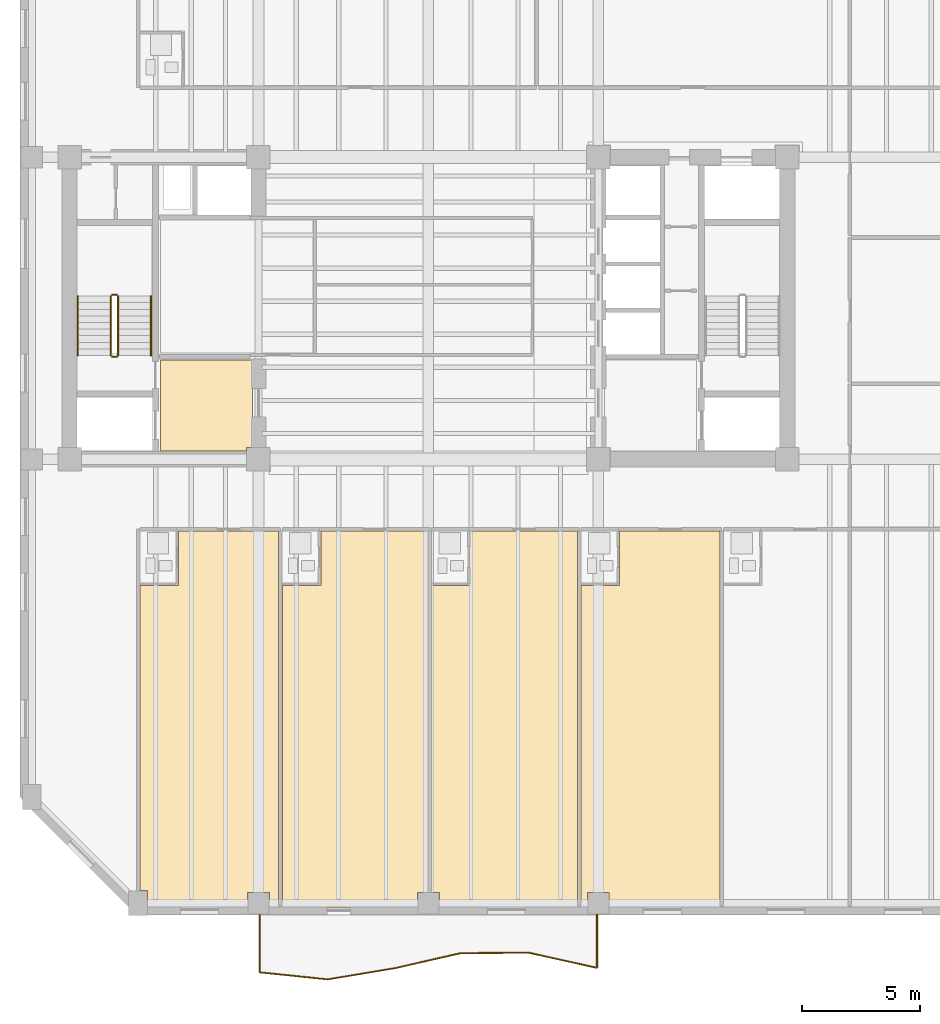
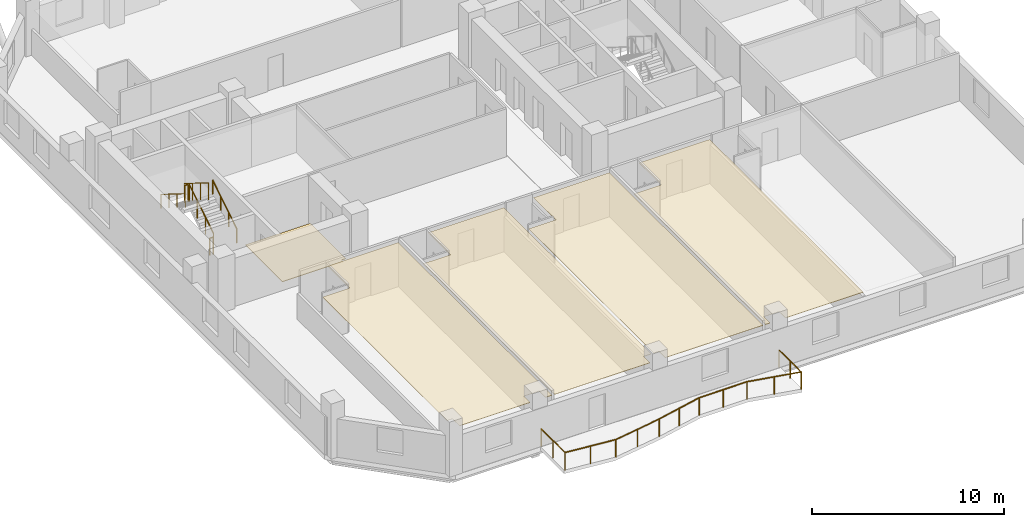
# One storey, part 9 of 12: 7 railings, 5 coverings.
"""IFC4 building model written with IfcOpenShell, lengths in metres."""

from ifc_helpers import new_model, si_unit, direction, frame, origin, origin_2d, place, context, subcontext, project, spatial, polyline, circle, outline, extrude, material, layer, layer_set, type_object, element, save


model = new_model("IFC4")

# Units and contexts
model_context = context("Model", 3, precision=1e-05, world=origin(), true_north=direction((0.0, 1.0)))
body_context = subcontext(model_context, "Body", "Model", "MODEL_VIEW")
ifc_project = project(units=[si_unit("LENGTHUNIT", "METRE"), si_unit("AREAUNIT", "SQUARE_METRE"), si_unit("VOLUMEUNIT", "CUBIC_METRE"), si_unit("PLANEANGLEUNIT", "RADIAN"), si_unit("MASSUNIT", "GRAM", prefix="KILO")], contexts=[model_context])

# Site, building, storey
site_placement = place(None, origin())
site = spatial("IfcSite", under=ifc_project, at=site_placement, CompositionType="ELEMENT")
building_placement = place(site_placement, origin())
building = spatial("IfcBuilding", under=site, at=building_placement, Name="Kranthara Brick Stack", CompositionType="ELEMENT")
storey_placement = place(building_placement, frame((0.0, 0.0, 158.800048828125)))
storey = spatial("IfcBuildingStorey", under=building, at=storey_placement, Name="L40", CompositionType="ELEMENT", Elevation=158.800048828125)

# Coverings
ifc_material_1 = material(Name="Perforated mineral-fibre acoustic ceiling tile", Category="other")
ifc_layer_1 = layer(ifc_material_1, 0.02490234375)
ifc_layer_set_1 = layer_set([ifc_layer_1], Name="Perforated mineral-fibre acoustic ceiling tile")
covering_type_1 = type_object("IfcCoveringType", Name="COV-CEIL-ACOUSTIC", PredefinedType="CEILING", material=ifc_layer_set_1)
covering_1_placement = place(storey_placement, frame((0.0, 0.0, 2.780029296875)))
element("IfcCovering", 1, at=covering_1_placement, inside=storey, type_object=covering_type_1, Name="L40 Room L40-01 Corner Junior Suite Acoustic Ceiling", PredefinedType="CEILING", context=body_context, shape_type="SweptSolid", body=[
    extrude(outline(polyline([(17.409912109375, 15.4599609375), (17.409912109375, 17.77001953125), (21.64990234375, 17.77001953125), (21.64990234375, 1.800048828125), (21.260009765625, 1.800048828125), (21.260009765625, 2.4599609375), (20.340087890625, 2.4599609375), (20.340087890625, 1.800048828125), (16.110107421875, 1.800048828125), (16.110107421875, 2.534912109375), (15.780029296875, 2.534912109375), (15.780029296875, 15.4599609375), (17.409912109375, 15.4599609375)])), origin(), (0.0, 0.0, 1.0), 0.02490234375),
])
covering_2_placement = place(storey_placement, frame((0.0, 0.0, 2.780029296875)))
element("IfcCovering", 2, at=covering_2_placement, inside=storey, type_object=covering_type_1, Name="L40 Room L40-02 Corner Junior Suite Acoustic Ceiling", PredefinedType="CEILING", context=body_context, shape_type="SweptSolid", body=[
    extrude(outline(polyline([(21.81005859375, 1.800048828125), (21.81005859375, 15.4599609375), (23.43994140625, 15.4599609375), (23.43994140625, 17.77001953125), (27.98095703125, 17.77001953125), (27.98095703125, 2.4599609375), (27.5400390625, 2.4599609375), (27.5400390625, 1.800048828125), (21.81005859375, 1.800048828125)])), origin(), (0.0, 0.0, 1.0), 0.02490234375),
])
covering_3_placement = place(storey_placement, frame((0.0, 0.0, 2.780029296875)))
element("IfcCovering", 3, at=covering_3_placement, inside=storey, type_object=covering_type_1, Name="L40 Room L40-03 Corner Junior Suite Acoustic Ceiling", PredefinedType="CEILING", context=body_context, shape_type="SweptSolid", body=[
    extrude(outline(polyline([(28.14111328125, 15.4599609375), (29.77099609375, 15.4599609375), (29.77099609375, 17.77001953125), (34.31298828125, 17.77001953125), (34.31298828125, 1.800048828125), (28.4599609375, 1.800048828125), (28.4599609375, 2.4599609375), (28.14111328125, 2.4599609375), (28.14111328125, 15.4599609375)])), origin(), (0.0, 0.0, 1.0), 0.02490234375),
])
covering_4_placement = place(storey_placement, frame((0.0, 0.0, 2.780029296875)))
element("IfcCovering", 4, at=covering_4_placement, inside=storey, type_object=covering_type_1, Name="L40 Room L40-04 Corner Junior Suite Acoustic Ceiling", PredefinedType="CEILING", context=body_context, shape_type="SweptSolid", body=[
    extrude(outline(polyline([(34.472900390625, 1.800048828125), (34.472900390625, 15.4599609375), (36.10302734375, 15.4599609375), (36.10302734375, 17.77001953125), (40.343017578125, 17.77001953125), (40.343017578125, 1.800048828125), (35.659912109375, 1.800048828125), (35.659912109375, 2.4599609375), (34.739990234375, 2.4599609375), (34.739990234375, 1.800048828125), (34.472900390625, 1.800048828125)])), origin(), (0.0, 0.0, 1.0), 0.02490234375),
])
ifc_material_2 = material(Name="Honed terrazzo and porcelain floor finish", Category="stone")
ifc_layer_2 = layer(ifc_material_2, 0.030029296875)
ifc_layer_set_2 = layer_set([ifc_layer_2], Name="Honed terrazzo and porcelain floor finish")
covering_type_2 = type_object("IfcCoveringType", Name="COV-FLOR-STONE", PredefinedType="FLOORING", material=ifc_layer_set_2)
covering_5_placement = place(storey_placement, origin())
element("IfcCovering", 5, at=covering_5_placement, inside=storey, type_object=covering_type_2, Name="L40 Lift Lobby Stone Flooring", PredefinedType="FLOORING", context=body_context, shape_type="SweptSolid", body=[
    extrude(outline(polyline([(16.64990234375, 21.14990234375), (16.64990234375, 25.0), (20.550048828125, 25.0), (20.550048828125, 21.31005859375), (20.2900390625, 21.31005859375), (20.2900390625, 21.14990234375), (16.64990234375, 21.14990234375)])), origin(), (0.0, 0.0, 1.0), 0.030029296875),
])

# Railings
ifc_material_3 = material(Name="Bronze anodised aluminium and laminated glass balustrade", Category="aluminium")
railing_type_1 = type_object("IfcRailingType", Name="RL-BALC-1120", PredefinedType="BALUSTRADE", material=ifc_material_3)
railing_1_placement = place(storey_placement, frame((35.139892578125, 1.56005859375, 0.0)))
element("IfcRailing", 6, at=railing_1_placement, inside=storey, type_object=railing_type_1, Name="L40 South Rippling Balcony Balustrade", PredefinedType="BALUSTRADE", context=body_context, shape_type="SweptSolid", body=[
    extrude(circle(Radius=0.02392578125, at=origin_2d()), frame((0.0, 0.0, 1.09619140625), z_axis=(0.000106168382, -0.999999994364, 0.0), x_axis=(0.999999994364, 0.000106168382, 0.0)), (0.0, 0.0, 1.0), 2.299560546875),
    extrude(circle(Radius=0.02392578125, at=origin_2d()), frame((0.000244140625, -2.299560546875, 1.09619140625), z_axis=(-0.976231823115, 0.2167289264, 0.0), x_axis=(-0.2167289264, -0.976231823115, 0.0)), (0.0, 0.0, 1.0), 2.9501953125),
    extrude(circle(Radius=0.02392578125, at=origin_2d()), frame((-2.8798828125, -1.66015625, 1.09619140625), z_axis=(-0.99998618976, -0.00525550087, 0.0), x_axis=(0.00525550087, -0.99998618976, 0.0)), (0.0, 0.0, 1.0), 2.880126953125),
    extrude(circle(Radius=0.02392578125, at=origin_2d()), frame((-5.760009765625, -1.67529296875, 1.09619140625), z_axis=(-0.974896418621, -0.222658871279, 0.0), x_axis=(0.222658871279, -0.974896418621, 0.0)), (0.0, 0.0, 1.0), 2.836669921875),
    extrude(circle(Radius=0.02392578125, at=origin_2d()), frame((-8.525390625, -2.306884765625, 1.09619140625), z_axis=(-0.986266935249, -0.165159112481, 0.0), x_axis=(0.165159112481, -0.986266935249, 0.0)), (0.0, 0.0, 1.0), 2.91650390625),
    extrude(circle(Radius=0.02392578125, at=origin_2d()), frame((-11.40185546875, -2.78857421875, 1.09619140625), z_axis=(-0.994688815746, 0.102927935132, 0.0), x_axis=(-0.102927935132, -0.994688815746, 0.0)), (0.0, 0.0, 1.0), 2.893798828125),
    extrude(circle(Radius=0.02392578125, at=origin_2d()), frame((-14.2802734375, -2.49072265625, 1.09619140625), z_axis=(0.000196039988, 0.999999980784, 0.0), x_axis=(-0.999999980784, 0.000196039988, 0.0)), (0.0, 0.0, 1.0), 2.49072265625),
    extrude(circle(Radius=0.02099609375, at=origin_2d()), origin(), (0.0, 0.0, 1.0), 1.072021484375),
    extrude(circle(Radius=0.02099609375, at=origin_2d()), frame((0.0, -1.14990234375, 0.0)), (0.0, 0.0, 1.0), 1.072021484375),
    extrude(circle(Radius=0.02099609375, at=origin_2d()), frame((0.000244140625, -2.299560546875, 0.0)), (0.0, 0.0, 1.0), 1.072021484375),
    extrude(circle(Radius=0.02099609375, at=origin_2d()), frame((-1.43994140625, -1.97998046875, 0.0)), (0.0, 0.0, 1.0), 1.072021484375),
    extrude(circle(Radius=0.02099609375, at=origin_2d()), frame((-2.8798828125, -1.66015625, 0.0)), (0.0, 0.0, 1.0), 1.072021484375),
    extrude(circle(Radius=0.02099609375, at=origin_2d()), frame((-4.31982421875, -1.667724609375, 0.0)), (0.0, 0.0, 1.0), 1.072021484375),
    extrude(circle(Radius=0.02099609375, at=origin_2d()), frame((-5.760009765625, -1.67529296875, 0.0)), (0.0, 0.0, 1.0), 1.072021484375),
    extrude(circle(Radius=0.02099609375, at=origin_2d()), frame((-7.142578125, -1.9912109375, 0.0)), (0.0, 0.0, 1.0), 1.072021484375),
    extrude(circle(Radius=0.02099609375, at=origin_2d()), frame((-8.525390625, -2.306884765625, 0.0)), (0.0, 0.0, 1.0), 1.072021484375),
    extrude(circle(Radius=0.02099609375, at=origin_2d()), frame((-9.963623046875, -2.5478515625, 0.0)), (0.0, 0.0, 1.0), 1.072021484375),
    extrude(circle(Radius=0.02099609375, at=origin_2d()), frame((-11.40185546875, -2.78857421875, 0.0)), (0.0, 0.0, 1.0), 1.072021484375),
    extrude(circle(Radius=0.02099609375, at=origin_2d()), frame((-12.841064453125, -2.6396484375, 0.0)), (0.0, 0.0, 1.0), 1.072021484375),
    extrude(circle(Radius=0.02099609375, at=origin_2d()), frame((-14.2802734375, -2.49072265625, 0.0)), (0.0, 0.0, 1.0), 1.072021484375),
    extrude(circle(Radius=0.02099609375, at=origin_2d()), frame((-14.280029296875, -1.245361328125, 0.0)), (0.0, 0.0, 1.0), 1.072021484375),
    extrude(circle(Radius=0.02099609375, at=origin_2d()), frame((-14.27978515625, 0.0, 0.0)), (0.0, 0.0, 1.0), 1.072021484375),
])
ifc_material_4 = material(Name="Painted galvanized steel stair guardrail", Category="steel")
railing_type_2 = type_object("IfcRailingType", Name="RL-STAIR-GUARD-1100", PredefinedType="GUARDRAIL", material=ifc_material_4)
railing_2_placement = place(storey_placement, frame((14.85009765625, 25.199951171875, 0.175048828125)))
element("IfcRailing", 7, at=railing_2_placement, inside=storey, type_object=railing_type_2, Name="L40 ST01 stair guard 1", PredefinedType="GUARDRAIL", context=body_context, shape_type="SweptSolid", body=[
    extrude(circle(Radius=0.02392578125, at=origin_2d()), frame((0.0, 0.0, 1.076171875), z_axis=(0.0, 0.848007534815, 0.529984170421), x_axis=(-1.0, 0.0, 0.0)), (0.0, 0.0, 1.0), 2.9716796875),
    extrude(circle(Radius=0.02099609375, at=origin_2d()), origin(), (0.0, 0.0, 1.0), 1.052001953125),
    extrude(circle(Radius=0.02099609375, at=origin_2d()), frame((0.0, 0.840087890625, 0.52490234375)), (0.0, 0.0, 1.0), 1.052001953125),
    extrude(circle(Radius=0.02099609375, at=origin_2d()), frame((0.0, 1.679931640625, 1.050048828125)), (0.0, 0.0, 1.0), 1.052001953125),
    extrude(circle(Radius=0.02099609375, at=origin_2d()), frame((0.0, 2.52001953125, 1.574951171875)), (0.0, 0.0, 1.0), 1.052001953125),
])
railing_3_placement = place(storey_placement, frame((14.800048828125, 27.77001953125, 1.75)))
element("IfcRailing", 8, at=railing_3_placement, inside=storey, type_object=railing_type_2, Name="L40 ST01 stair guard 2", PredefinedType="GUARDRAIL", context=body_context, shape_type="SweptSolid", body=[
    extrude(circle(Radius=0.02392578125, at=origin_2d()), frame((0.0, 0.0, 1.076171875), z_axis=(-1.0, 0.0, 0.0), x_axis=(0.0, -1.0, 0.0)), (0.0, 0.0, 1.0), 0.199951171875),
    extrude(circle(Radius=0.02099609375, at=origin_2d()), origin(), (0.0, 0.0, 1.0), 1.052001953125),
    extrude(circle(Radius=0.02099609375, at=origin_2d()), frame((-0.199951171875, 0.0, 0.0)), (0.0, 0.0, 1.0), 1.052001953125),
])
railing_4_placement = place(storey_placement, frame((14.550048828125, 27.719970703125, 1.925048828125)))
element("IfcRailing", 9, at=railing_4_placement, inside=storey, type_object=railing_type_2, Name="L40 ST01 stair guard 3", PredefinedType="GUARDRAIL", context=body_context, shape_type="SweptSolid", body=[
    extrude(circle(Radius=0.02392578125, at=origin_2d()), frame((0.0, 0.0, 1.076171875), z_axis=(0.0, -0.848007534815, 0.529984170421), x_axis=(1.0, 0.0, 0.0)), (0.0, 0.0, 1.0), 2.9716796875),
    extrude(circle(Radius=0.02099609375, at=origin_2d()), origin(), (0.0, 0.0, 1.0), 1.052001953125),
    extrude(circle(Radius=0.02099609375, at=origin_2d()), frame((0.0, -0.840087890625, 0.52490234375)), (0.0, 0.0, 1.0), 1.052001953125),
    extrude(circle(Radius=0.02099609375, at=origin_2d()), frame((0.0, -1.679931640625, 1.050048828125)), (0.0, 0.0, 1.0), 1.052001953125),
    extrude(circle(Radius=0.02099609375, at=origin_2d()), frame((0.0, -2.52001953125, 1.574951171875)), (0.0, 0.0, 1.0), 1.052001953125),
])
railing_5_placement = place(storey_placement, frame((14.800048828125, 25.14990234375, 0.0)))
element("IfcRailing", 10, at=railing_5_placement, inside=storey, type_object=railing_type_2, Name="L40 ST01 stair guard 4", PredefinedType="GUARDRAIL", context=body_context, shape_type="SweptSolid", body=[
    extrude(circle(Radius=0.02392578125, at=origin_2d()), frame((0.0, 0.0, 1.076171875), z_axis=(-1.0, 0.0, 0.0), x_axis=(0.0, -1.0, 0.0)), (0.0, 0.0, 1.0), 0.199951171875),
    extrude(circle(Radius=0.02099609375, at=origin_2d()), origin(), (0.0, 0.0, 1.0), 1.052001953125),
    extrude(circle(Radius=0.02099609375, at=origin_2d()), frame((-0.199951171875, 0.0, 0.0)), (0.0, 0.0, 1.0), 1.052001953125),
])
ifc_material_5 = material(Name="Brushed stainless steel tubular handrail", Category="steel")
railing_type_3 = type_object("IfcRailingType", Name="RL-STAIR-HAND-900", PredefinedType="HANDRAIL", material=ifc_material_5)
railing_6_placement = place(storey_placement, frame((16.25, 25.199951171875, 0.175048828125)))
element("IfcRailing", 11, at=railing_6_placement, inside=storey, type_object=railing_type_3, Name="L40 ST01 stair handrail 1", PredefinedType="HANDRAIL", context=body_context, shape_type="SweptSolid", body=[
    extrude(circle(Radius=0.02392578125, at=origin_2d()), frame((0.0, 0.0, 0.8759765625), z_axis=(0.0, 0.848007534815, 0.529984170421), x_axis=(-1.0, 0.0, 0.0)), (0.0, 0.0, 1.0), 2.9716796875),
    extrude(circle(Radius=0.02099609375, at=origin_2d()), origin(), (0.0, 0.0, 1.0), 0.851806640625),
    extrude(circle(Radius=0.02099609375, at=origin_2d()), frame((0.0, 0.840087890625, 0.52490234375)), (0.0, 0.0, 1.0), 0.851806640625),
    extrude(circle(Radius=0.02099609375, at=origin_2d()), frame((0.0, 1.679931640625, 1.050048828125)), (0.0, 0.0, 1.0), 0.851806640625),
    extrude(circle(Radius=0.02099609375, at=origin_2d()), frame((0.0, 2.52001953125, 1.574951171875)), (0.0, 0.0, 1.0), 0.851806640625),
])
railing_7_placement = place(storey_placement, frame((13.14990234375, 27.719970703125, 1.925048828125)))
element("IfcRailing", 12, at=railing_7_placement, inside=storey, type_object=railing_type_3, Name="L40 ST01 stair handrail 2", PredefinedType="HANDRAIL", context=body_context, shape_type="SweptSolid", body=[
    extrude(circle(Radius=0.02392578125, at=origin_2d()), frame((0.0, 0.0, 0.8759765625), z_axis=(0.0, -0.848007534815, 0.529984170421), x_axis=(1.0, 0.0, 0.0)), (0.0, 0.0, 1.0), 2.9716796875),
    extrude(circle(Radius=0.02099609375, at=origin_2d()), origin(), (0.0, 0.0, 1.0), 0.851806640625),
    extrude(circle(Radius=0.02099609375, at=origin_2d()), frame((0.0, -0.840087890625, 0.52490234375)), (0.0, 0.0, 1.0), 0.851806640625),
    extrude(circle(Radius=0.02099609375, at=origin_2d()), frame((0.0, -1.679931640625, 1.050048828125)), (0.0, 0.0, 1.0), 0.851806640625),
    extrude(circle(Radius=0.02099609375, at=origin_2d()), frame((0.0, -2.52001953125, 1.574951171875)), (0.0, 0.0, 1.0), 0.851806640625),
])

save(model, "model.ifc")
